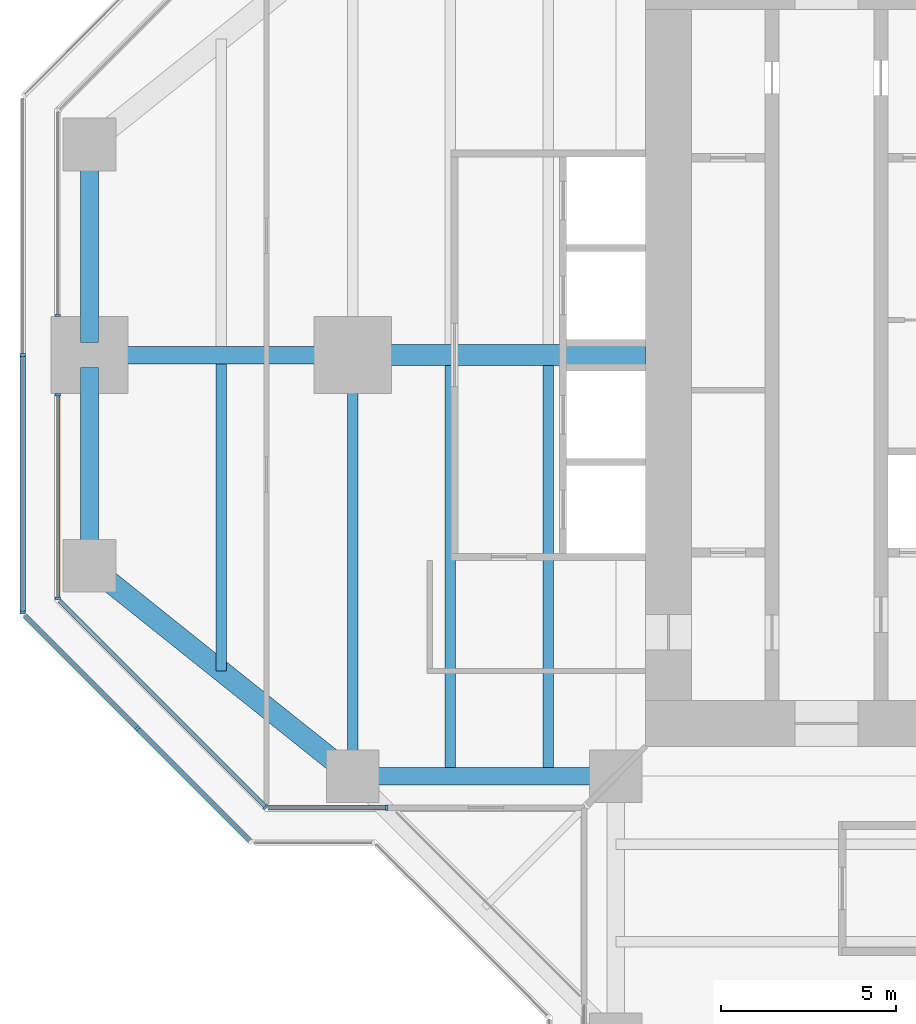
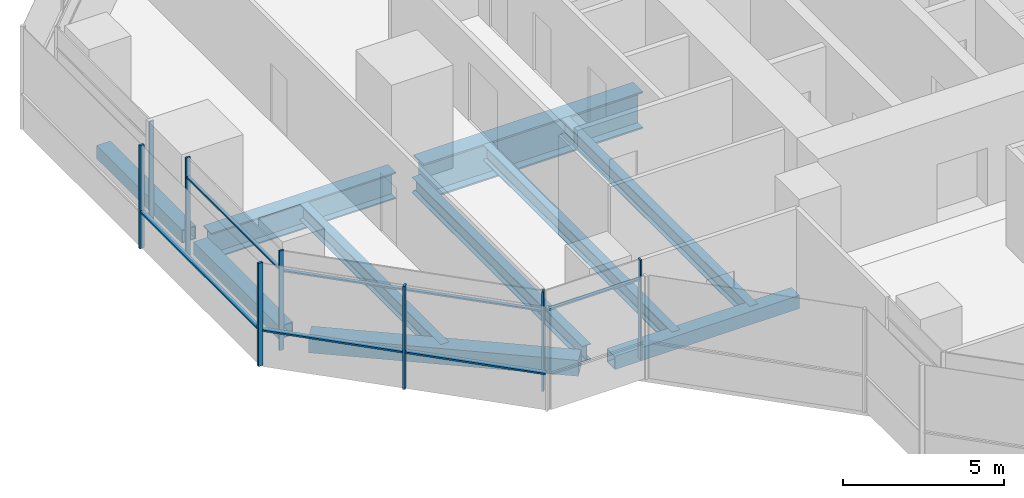
# One storey, part 3 of 17: 14 members, 10 beams, 6 elements without a shape of their own.
"""IFC4 building model written with IfcOpenShell, lengths in metres."""

from ifc_helpers import new_model, si_unit, direction, frame, origin, origin_2d, place, context, subcontext, project, spatial, rectangle, hollow_rectangle, i_section, extrude, material, material_profile, profile_set, type_object, element, aggregate, save


model = new_model("IFC4")

# Units and contexts
model_context = context("Model", 3, precision=1e-05, world=origin(), true_north=direction((0.0, 1.0)))
body_context = subcontext(model_context, "Body", "Model", "MODEL_VIEW")
ifc_project = project(units=[si_unit("LENGTHUNIT", "METRE"), si_unit("AREAUNIT", "SQUARE_METRE"), si_unit("VOLUMEUNIT", "CUBIC_METRE"), si_unit("PLANEANGLEUNIT", "RADIAN"), si_unit("MASSUNIT", "GRAM", prefix="KILO")], contexts=[model_context])

# Site, building, storey
site_placement = place(None, origin())
site = spatial("IfcSite", under=ifc_project, at=site_placement, CompositionType="ELEMENT")
building_placement = place(site_placement, origin())
building = spatial("IfcBuilding", under=site, at=building_placement, Name="Mizan Broadcast Tower", CompositionType="ELEMENT")
storey_placement = place(building_placement, frame((0.0, 0.0, 224.39990234375)))
storey = spatial("IfcBuildingStorey", under=building, at=storey_placement, Name="L52", CompositionType="ELEMENT", Elevation=224.39990234375)

# Beams
ifc_material_1 = material(Name="Steel S355", Category="steel")
ifc_material_profile_1 = material_profile(ifc_material_1, hollow_rectangle(XDim=0.5, YDim=0.5, WallThickness=0.030029296875, at=origin_2d()), Name="BOX 500x500x30")
ifc_profile_set_1 = profile_set([ifc_material_profile_1], Name="Steel S355")
beam_type_1 = type_object("IfcBeamType", Name="EDGE BEAM BOX 500x500x30", PredefinedType="SPANDREL", material=ifc_profile_set_1)
beam_1_placement = place(storey_placement, frame((-27.0, 5.639892578125, -0.3798828125), z_axis=(0.0, -1.0, 0.0), x_axis=(1.0, 0.0, 0.0)))
element("IfcBeam", 1, at=beam_1_placement, inside=storey, type_object=beam_type_1, Name="Edge beam BOX 500x500x30 L52 west arm", PredefinedType="SPANDREL", context=body_context, shape_type="SweptSolid", body=[
    extrude(hollow_rectangle(XDim=0.5, YDim=0.5, WallThickness=0.030029296875, at=origin_2d()), origin(), (0.0, 0.0, 1.0), 5.27978515625),
])
beam_2_placement = place(storey_placement, frame((-12.449951171875, -12.0, -0.3798828125), z_axis=(-1.0, 0.0, 0.0), x_axis=(0.0, -1.0, 0.0)))
element("IfcBeam", 2, at=beam_2_placement, inside=storey, type_object=beam_type_1, Name="Edge beam BOX 500x500x30 L52 west arm", PredefinedType="SPANDREL", context=body_context, shape_type="SweptSolid", body=[
    extrude(hollow_rectangle(XDim=0.5, YDim=0.5, WallThickness=0.030029296875, at=origin_2d()), origin(), (0.0, 0.0, 1.0), 6.60009765625),
])
beam_3_placement = place(storey_placement, frame((-27.0, -5.639892578125, -0.3798828125), z_axis=(0.0, 1.0, 0.0), x_axis=(-1.0, 0.0, 0.0)))
element("IfcBeam", 3, at=beam_3_placement, inside=storey, type_object=beam_type_1, Name="Edge beam BOX 500x500x30 L52 west arm", PredefinedType="SPANDREL", context=body_context, shape_type="SweptSolid", body=[
    extrude(hollow_rectangle(XDim=0.5, YDim=0.5, WallThickness=0.030029296875, at=origin_2d()), origin(), (0.0, 0.0, 1.0), 5.27978515625),
])
ifc_material_2 = material(Name="Steel S355", Category="steel")
ifc_material_profile_2 = material_profile(ifc_material_2, hollow_rectangle(XDim=0.60009765625, YDim=0.60009765625, WallThickness=0.030029296875, at=origin_2d()), Name="BOX 600x600x30")
ifc_profile_set_2 = profile_set([ifc_material_profile_2], Name="Steel S355")
beam_type_2 = type_object("IfcBeamType", Name="EDGE BEAM BOX 600x600x30", PredefinedType="SPANDREL", material=ifc_profile_set_2)
beam_4_placement = place(storey_placement, frame((-19.949951171875, -11.639892578125, -0.429931640625), z_axis=(-0.780885717636, 0.624673911726, 0.0), x_axis=(-0.624673911726, -0.780885717636, 0.0)))
element("IfcBeam", 4, at=beam_4_placement, inside=storey, type_object=beam_type_2, Name="Edge beam BOX 600x600x30 L52 west arm", PredefinedType="SPANDREL", context=body_context, shape_type="SweptSolid", body=[
    extrude(hollow_rectangle(XDim=0.60009765625, YDim=0.60009765625, WallThickness=0.030029296875, at=origin_2d()), origin(), (0.0, 0.0, 1.0), 8.4521484375),
])
ifc_material_3 = material(Name="Steel S355", Category="steel")
ifc_material_profile_3 = material_profile(ifc_material_3, i_section(OverallWidth=0.300048828125, OverallDepth=0.590087890625, WebThickness=0.012939453125, FlangeThickness=0.02490234375, FilletRadius=0.027099609375, at=origin_2d()), Name="HEA 600")
ifc_profile_set_3 = profile_set([ifc_material_profile_3], Name="Steel S355")
beam_type_3 = type_object("IfcBeamType", Name="GIRDER HEA 600", PredefinedType="BEAM", material=ifc_profile_set_3)
beam_5_placement = place(storey_placement, frame((-19.5, -11.280029296875, -0.4248046875), z_axis=(0.0, 1.0, 0.0), x_axis=(-1.0, 0.0, 0.0)))
element("IfcBeam", 5, at=beam_5_placement, inside=storey, type_object=beam_type_3, Name="Girder HEA 600 L52 west arm", PredefinedType="BEAM", context=body_context, shape_type="SweptSolid", body=[
    extrude(i_section(OverallWidth=0.300048828125, OverallDepth=0.590087890625, WebThickness=0.012939453125, FlangeThickness=0.02490234375, FilletRadius=0.027099609375, at=origin_2d()), origin(), (0.0, 0.0, 1.0), 10.56005859375),
])
ifc_material_4 = material(Name="Steel S460", Category="steel")
ifc_material_profile_4 = material_profile(ifc_material_4, i_section(OverallWidth=0.5, OverallDepth=1.0, WebThickness=0.02490234375, FlangeThickness=0.050048828125, at=origin_2d()), Name="WPG 1000x500")
ifc_profile_set_4 = profile_set([ifc_material_profile_4], Name="Steel S460")
beam_type_4 = type_object("IfcBeamType", Name="GIRDER WPG 1000x500", PredefinedType="BEAM", material=ifc_profile_set_4)
beam_6_placement = place(storey_placement, frame((-19.949951171875, 0.0, -0.6298828125), z_axis=(-1.0, 0.0, 0.0), x_axis=(0.0, -1.0, 0.0)))
element("IfcBeam", 6, at=beam_6_placement, inside=storey, type_object=beam_type_4, Name="Girder WPG 1000x500 L52 west arm", PredefinedType="BEAM", context=body_context, shape_type="SweptSolid", body=[
    extrude(i_section(OverallWidth=0.5, OverallDepth=1.0, WebThickness=0.02490234375, FlangeThickness=0.050048828125, at=origin_2d()), origin(), (0.0, 0.0, 1.0), 6.60009765625),
])
ifc_material_5 = material(Name="Steel S460", Category="steel")
ifc_material_profile_5 = material_profile(ifc_material_5, i_section(OverallWidth=0.60009765625, OverallDepth=1.39990234375, WebThickness=0.02490234375, FlangeThickness=0.06005859375, at=origin_2d()), Name="WPG 1400x600")
ifc_profile_set_5 = profile_set([ifc_material_profile_5], Name="Steel S460")
beam_type_5 = type_object("IfcBeamType", Name="GIRDER WPG 1400x600", PredefinedType="BEAM", material=ifc_profile_set_5)
beam_7_placement = place(storey_placement, frame((-11.14990234375, 0.0, -0.829833984375), z_axis=(-1.0, 0.0, 0.0), x_axis=(0.0, -1.0, 0.0)))
element("IfcBeam", 7, at=beam_7_placement, inside=storey, type_object=beam_type_5, Name="Girder WPG 1400x600 L52 west arm", PredefinedType="BEAM", context=body_context, shape_type="SweptSolid", body=[
    extrude(i_section(OverallWidth=0.60009765625, OverallDepth=1.39990234375, WebThickness=0.02490234375, FlangeThickness=0.06005859375, at=origin_2d()), origin(), (0.0, 0.0, 1.0), 7.84912109375),
])

# Curtain wall, member
ifc_material_6 = material(Name="Aluminium framed glazing", Category="aluminium")
curtain_wall_type_1 = type_object("IfcCurtainWallType", Name="INNER SKIN HIGH ZONE", PredefinedType="USERDEFINED", material=ifc_material_6)
curtain_wall_1_placement = place(storey_placement, origin())
curtain_wall_1 = element("IfcCurtainWall", 8, at=curtain_wall_1_placement, inside=storey, type_object=curtain_wall_type_1, Name="Inner skin high zone L52 W end", ObjectType="INNER SKIN HIGH ZONE", PredefinedType="USERDEFINED")
ifc_material_7 = material(Name="Aluminium, pale anodised", Category="aluminium")
ifc_material_profile_6 = material_profile(ifc_material_7, rectangle(XDim=0.159912109375, YDim=0.06005859375, at=origin_2d()), Name="MULLION 160x60")
ifc_profile_set_6 = profile_set([ifc_material_profile_6], Name="Aluminium, pale anodised")
member_type_1 = type_object("IfcMemberType", Name="INNER SKIN MULLION 60x160", PredefinedType="MULLION", material=ifc_profile_set_6)
member_1_placement = place(storey_placement, frame((-27.89990234375, 1.1298828125, 0.0), z_axis=(0.0, 0.0, 1.0), x_axis=(1.0, 0.0, 0.0)))
member_1 = element("IfcMember", 9, at=member_1_placement, type_object=member_type_1, Name="Inner skin high zone L52 W end mullion 2", PredefinedType="MULLION", context=body_context, shape_type="SweptSolid", body=[
    extrude(rectangle(XDim=0.159912109375, YDim=0.06005859375, at=origin_2d()), origin(), (0.0, 0.0, 1.0), 3.77001953125),
])
aggregate(curtain_wall_1, [member_1])

# Curtain wall, members
curtain_wall_2_placement = place(storey_placement, origin())
curtain_wall_2 = element("IfcCurtainWall", 10, at=curtain_wall_2_placement, inside=storey, type_object=curtain_wall_type_1, Name="Inner skin high zone L52 W end", ObjectType="INNER SKIN HIGH ZONE", PredefinedType="USERDEFINED")
member_2_placement = place(storey_placement, frame((-27.89990234375, -1.1298828125, 0.0), z_axis=(0.0, 0.0, 1.0), x_axis=(1.0, 0.0, 0.0)))
member_2 = element("IfcMember", 11, at=member_2_placement, type_object=member_type_1, Name="Inner skin high zone L52 W end mullion 1", PredefinedType="MULLION", context=body_context, shape_type="SweptSolid", body=[
    extrude(rectangle(XDim=0.159912109375, YDim=0.06005859375, at=origin_2d()), origin(), (0.0, 0.0, 1.0), 3.77001953125),
])
member_3_placement = place(storey_placement, frame((-27.89990234375, -6.928466796875, 0.0), z_axis=(0.0, 0.0, 1.0), x_axis=(1.0, 0.0, 0.0)))
member_3 = element("IfcMember", 12, at=member_3_placement, type_object=member_type_1, Name="Inner skin high zone L52 W end mullion 2", PredefinedType="MULLION", context=body_context, shape_type="SweptSolid", body=[
    extrude(rectangle(XDim=0.159912109375, YDim=0.06005859375, at=origin_2d()), origin(), (0.0, 0.0, 1.0), 3.77001953125),
])

# Curtain wall, member
curtain_wall_3_placement = place(storey_placement, origin())
curtain_wall_3 = element("IfcCurtainWall", 13, at=curtain_wall_3_placement, inside=storey, type_object=curtain_wall_type_1, Name="Inner skin high zone L52 W chamfer", ObjectType="INNER SKIN HIGH ZONE", PredefinedType="USERDEFINED")
member_4_placement = place(storey_placement, frame((-21.979736328125, -12.87890625, 0.0), z_axis=(0.0, 0.0, 1.0), x_axis=(0.707106781187, 0.707106781187, 0.0)))
member_4 = element("IfcMember", 14, at=member_4_placement, type_object=member_type_1, Name="Inner skin high zone L52 W chamfer mullion 2", PredefinedType="MULLION", context=body_context, shape_type="SweptSolid", body=[
    extrude(rectangle(XDim=0.159912109375, YDim=0.06005859375, at=origin_2d()), origin(), (0.0, 0.0, 1.0), 3.77001953125),
])

curtain_wall_4_placement = place(storey_placement, origin())
curtain_wall_4 = element("IfcCurtainWall", 15, at=curtain_wall_4_placement, inside=storey, type_object=curtain_wall_type_1, Name="Inner skin high zone L52 W side", ObjectType="INNER SKIN HIGH ZONE", PredefinedType="USERDEFINED")
member_5_placement = place(storey_placement, frame((-18.530029296875, -12.89990234375, 0.0), z_axis=(0.0, 0.0, 1.0), x_axis=(0.0, 1.0, 0.0)))
member_5 = element("IfcMember", 16, at=member_5_placement, type_object=member_type_1, Name="Inner skin high zone L52 W side mullion 2", PredefinedType="MULLION", context=body_context, shape_type="SweptSolid", body=[
    extrude(rectangle(XDim=0.159912109375, YDim=0.06005859375, at=origin_2d()), origin(), (0.0, 0.0, 1.0), 3.77001953125),
])

# Member
ifc_material_8 = material(Name="Aluminium, pale anodised", Category="aluminium")
ifc_material_profile_7 = material_profile(ifc_material_8, rectangle(XDim=0.1201171875, YDim=0.06005859375, at=origin_2d()), Name="TRANSOM 120x60")
ifc_profile_set_7 = profile_set([ifc_material_profile_7], Name="Aluminium, pale anodised")
member_type_2 = type_object("IfcMemberType", Name="INNER SKIN TRANSOM 60x120", PredefinedType="USERDEFINED", material=ifc_profile_set_7)
member_6_placement = place(storey_placement, frame((-27.89990234375, -1.159912109375, 3.030029296875), z_axis=(0.0, -1.0, 0.0), x_axis=(1.0, 0.0, 0.0)))
member_6 = element("IfcMember", 17, at=member_6_placement, type_object=member_type_2, Name="Inner skin high zone L52 W end transom 1.1", ObjectType="TRANSOM", PredefinedType="USERDEFINED", context=body_context, shape_type="SweptSolid", body=[
    extrude(rectangle(XDim=0.1201171875, YDim=0.06005859375, at=origin_2d()), origin(), (0.0, 0.0, 1.0), 5.73876953125),
])

aggregate(curtain_wall_2, [member_2, member_3, member_6])

member_7_placement = place(storey_placement, frame((-27.857666015625, -7.0009765625, 3.030029296875), z_axis=(0.707106781187, -0.707106781187, 0.0), x_axis=(0.707106781187, 0.707106781187, 0.0)))
member_7 = element("IfcMember", 18, at=member_7_placement, type_object=member_type_2, Name="Inner skin high zone L52 W chamfer transom 1.1", ObjectType="TRANSOM", PredefinedType="USERDEFINED", context=body_context, shape_type="SweptSolid", body=[
    extrude(rectangle(XDim=0.1201171875, YDim=0.06005859375, at=origin_2d()), origin(), (0.0, 0.0, 1.0), 8.28271484375),
])

aggregate(curtain_wall_3, [member_4, member_7])

member_8_placement = place(storey_placement, frame((-21.898681640625, -12.89990234375, 3.030029296875), z_axis=(1.0, 0.0, 0.0), x_axis=(0.0, 1.0, 0.0)))
member_8 = element("IfcMember", 19, at=member_8_placement, type_object=member_type_2, Name="Inner skin high zone L52 W side transom 1.1", ObjectType="TRANSOM", PredefinedType="USERDEFINED", context=body_context, shape_type="SweptSolid", body=[
    extrude(rectangle(XDim=0.1201171875, YDim=0.06005859375, at=origin_2d()), origin(), (0.0, 0.0, 1.0), 3.338623046875),
])

aggregate(curtain_wall_4, [member_5, member_8])

# Curtain wall, members
ifc_material_9 = material(Name="Aluminium framed glazing", Category="aluminium")
curtain_wall_type_2 = type_object("IfcCurtainWallType", Name="OUTER SKIN", PredefinedType="USERDEFINED", material=ifc_material_9)
curtain_wall_5_placement = place(storey_placement, origin())
curtain_wall_5 = element("IfcCurtainWall", 20, at=curtain_wall_5_placement, inside=storey, type_object=curtain_wall_type_2, Name="Outer skin L52 W end", ObjectType="OUTER SKIN", PredefinedType="USERDEFINED")
ifc_material_10 = material(Name="Aluminium, pale anodised", Category="aluminium")
ifc_material_profile_8 = material_profile(ifc_material_10, rectangle(XDim=0.159912109375, YDim=0.080078125, at=origin_2d()), Name="MULLION 160x80")
ifc_profile_set_8 = profile_set([ifc_material_profile_8], Name="Aluminium, pale anodised")
member_type_3 = type_object("IfcMemberType", Name="OUTER SKIN MULLION 80x160", PredefinedType="MULLION", material=ifc_profile_set_8)
member_9_placement = place(storey_placement, frame((-28.89990234375, 0.0, 0.0), z_axis=(0.0, 0.0, 1.0), x_axis=(1.0, 0.0, 0.0)))
member_9 = element("IfcMember", 21, at=member_9_placement, type_object=member_type_3, Name="Outer skin L52 W end mullion 2", PredefinedType="MULLION", context=body_context, shape_type="SweptSolid", body=[
    extrude(rectangle(XDim=0.159912109375, YDim=0.080078125, at=origin_2d()), origin(), (0.0, 0.0, 1.0), 3.900146484375),
])
member_10_placement = place(storey_placement, frame((-28.89990234375, -7.332763671875, 0.0), z_axis=(0.0, 0.0, 1.0), x_axis=(1.0, 0.0, 0.0)))
member_10 = element("IfcMember", 22, at=member_10_placement, type_object=member_type_3, Name="Outer skin L52 W end mullion 3", PredefinedType="MULLION", context=body_context, shape_type="SweptSolid", body=[
    extrude(rectangle(XDim=0.159912109375, YDim=0.080078125, at=origin_2d()), origin(), (0.0, 0.0, 1.0), 3.900146484375),
])

# Curtain wall, member
curtain_wall_6_placement = place(storey_placement, origin())
curtain_wall_6 = element("IfcCurtainWall", 23, at=curtain_wall_6_placement, inside=storey, type_object=curtain_wall_type_2, Name="Outer skin L52 W chamfer", ObjectType="OUTER SKIN", PredefinedType="USERDEFINED")
member_11_placement = place(storey_placement, frame((-25.636474609375, -10.636474609375, 0.0), z_axis=(0.0, 0.0, 1.0), x_axis=(0.707106781187, 0.707106781187, 0.0)))
member_11 = element("IfcMember", 24, at=member_11_placement, type_object=member_type_3, Name="Outer skin L52 W chamfer mullion 2", PredefinedType="MULLION", context=body_context, shape_type="SweptSolid", body=[
    extrude(rectangle(XDim=0.159912109375, YDim=0.080078125, at=origin_2d()), origin(), (0.0, 0.0, 1.0), 3.900146484375),
])

# Member
ifc_material_11 = material(Name="Aluminium, pale anodised", Category="aluminium")
ifc_material_profile_9 = material_profile(ifc_material_11, rectangle(XDim=0.159912109375, YDim=0.06005859375, at=origin_2d()), Name="TRANSOM 160x60")
ifc_profile_set_9 = profile_set([ifc_material_profile_9], Name="Aluminium, pale anodised")
member_type_4 = type_object("IfcMemberType", Name="OUTER SKIN TRANSOM 60x160", PredefinedType="USERDEFINED", material=ifc_profile_set_9)
member_12_placement = place(storey_placement, frame((-28.89990234375, -0.0400390625, 1.400146484375), z_axis=(0.0, -1.0, 0.0), x_axis=(1.0, 0.0, 0.0)))
member_12 = element("IfcMember", 25, at=member_12_placement, type_object=member_type_4, Name="Outer skin L52 W end transom 2.1", ObjectType="TRANSOM", PredefinedType="USERDEFINED", context=body_context, shape_type="SweptSolid", body=[
    extrude(rectangle(XDim=0.159912109375, YDim=0.06005859375, at=origin_2d()), origin(), (0.0, 0.0, 1.0), 7.252685546875),
])

aggregate(curtain_wall_5, [member_9, member_10, member_12])

member_13_placement = place(storey_placement, frame((-28.843505859375, -7.429443359375, 1.400146484375), z_axis=(0.707106781187, -0.707106781187, 0.0), x_axis=(0.707106781187, 0.707106781187, 0.0)))
member_13 = element("IfcMember", 26, at=member_13_placement, type_object=member_type_4, Name="Outer skin L52 W chamfer transom 1.1", ObjectType="TRANSOM", PredefinedType="USERDEFINED", context=body_context, shape_type="SweptSolid", body=[
    extrude(rectangle(XDim=0.159912109375, YDim=0.06005859375, at=origin_2d()), origin(), (0.0, 0.0, 1.0), 4.495361328125),
])

member_14_placement = place(storey_placement, frame((-25.608154296875, -10.664794921875, 1.400146484375), z_axis=(0.707106781187, -0.707106781187, 0.0), x_axis=(0.707106781187, 0.707106781187, 0.0)))
member_14 = element("IfcMember", 27, at=member_14_placement, type_object=member_type_4, Name="Outer skin L52 W chamfer transom 2.1", ObjectType="TRANSOM", PredefinedType="USERDEFINED", context=body_context, shape_type="SweptSolid", body=[
    extrude(rectangle(XDim=0.159912109375, YDim=0.06005859375, at=origin_2d()), origin(), (0.0, 0.0, 1.0), 4.495361328125),
])

aggregate(curtain_wall_6, [member_11, member_13, member_14])

# Beams
ifc_material_12 = material(Name="Steel S355", Category="steel")
ifc_material_profile_10 = material_profile(ifc_material_12, i_section(OverallWidth=0.300048828125, OverallDepth=0.590087890625, WebThickness=0.012939453125, FlangeThickness=0.02490234375, FilletRadius=0.027099609375, at=origin_2d()), Name="HEA 600")
ifc_profile_set_10 = profile_set([ifc_material_profile_10], Name="Steel S355")
beam_type_6 = type_object("IfcBeamType", Name="SECONDARY BEAM HEA 600", PredefinedType="JOIST", material=ifc_profile_set_10)
for number, where, z_axis, x_axis, name in (
    (28, (-13.933349609375, -12.0, -0.4248046875), (0.0, 1.0, 0.0), (-1.0, 0.0, 0.0), "Secondary beam HEA 600 L52 west arm"),
    (29, (-16.716552734375, -12.0, -0.4248046875), (0.0, 1.0, 0.0), (-1.0, 0.0, 0.0), "Secondary beam HEA 600 L52 west arm"),
):
    element("IfcBeam", number, at=place(storey_placement, frame(where, z_axis=z_axis, x_axis=x_axis)), inside=storey, type_object=beam_type_6, Name=name, PredefinedType="JOIST", context=body_context, shape_type="SweptSolid", body=[
        extrude(i_section(OverallWidth=0.300048828125, OverallDepth=0.590087890625, WebThickness=0.012939453125, FlangeThickness=0.02490234375, FilletRadius=0.027099609375, at=origin_2d()), origin(), (0.0, 0.0, 1.0), 11.699951171875),
    ])
beam_8_placement = place(storey_placement, frame((-23.25, -9.0, -0.4248046875), z_axis=(0.0, 1.0, 0.0), x_axis=(-1.0, 0.0, 0.0)))
element("IfcBeam", 30, at=beam_8_placement, inside=storey, type_object=beam_type_6, Name="Secondary beam HEA 600 L52 west arm", PredefinedType="JOIST", context=body_context, shape_type="SweptSolid", body=[
    extrude(i_section(OverallWidth=0.300048828125, OverallDepth=0.590087890625, WebThickness=0.012939453125, FlangeThickness=0.02490234375, FilletRadius=0.027099609375, at=origin_2d()), origin(), (0.0, 0.0, 1.0), 8.75),
])

save(model, "model.ifc")
